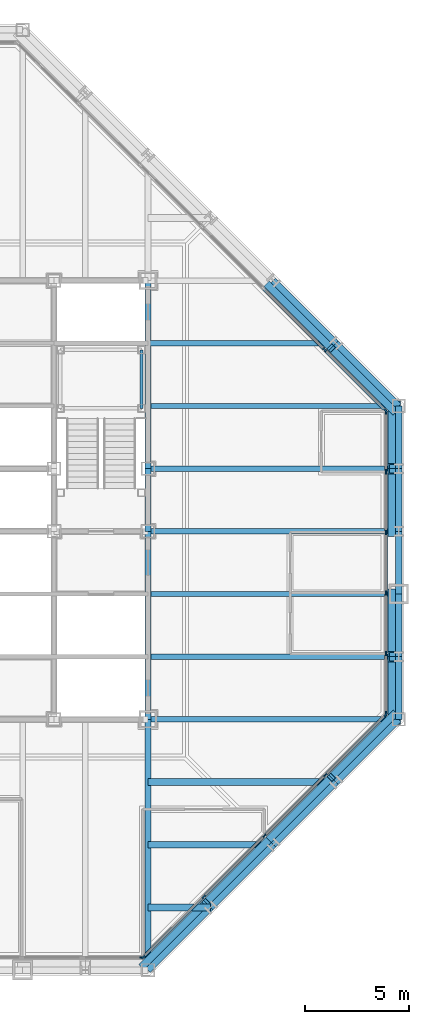
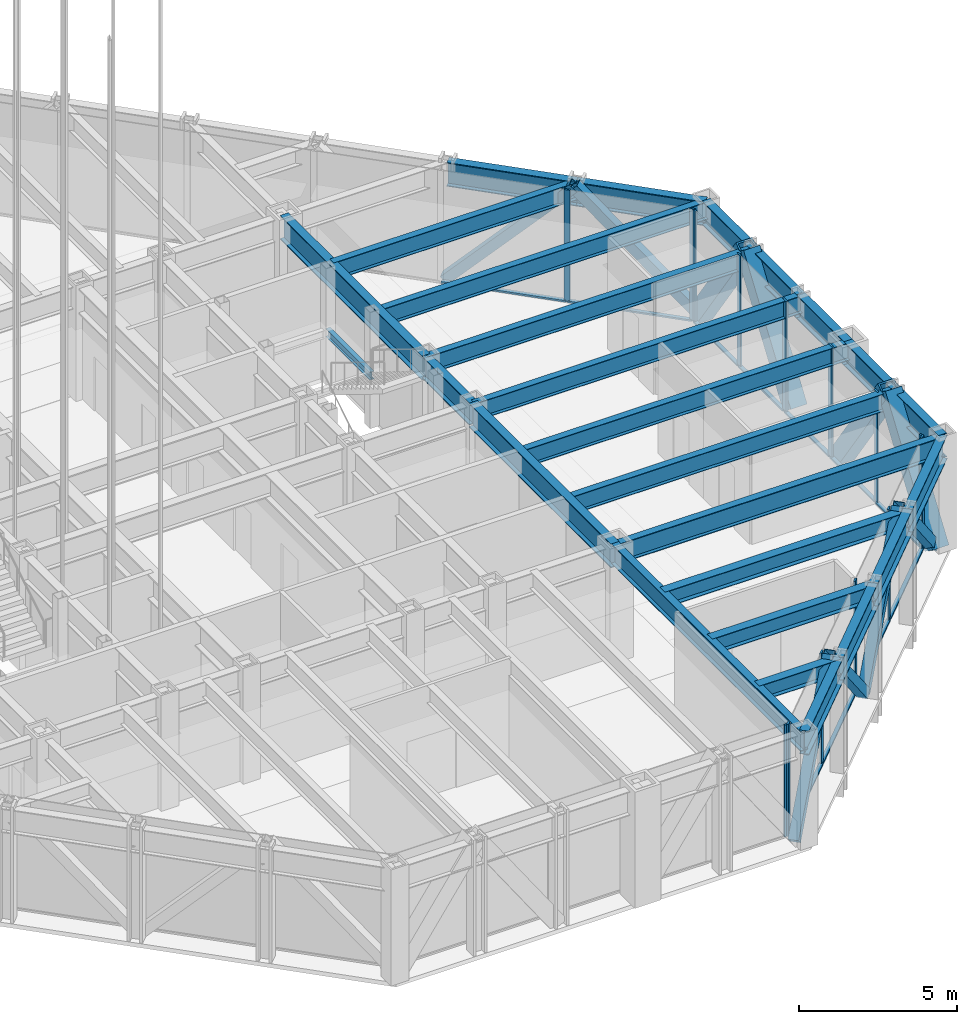
# One storey, part 6 of 24: 35 members, 26 beams, 4 elements without a shape of their own.
"""IFC4 building model written with IfcOpenShell, lengths in metres."""

from ifc_helpers import new_model, si_unit, direction, frame, origin, origin_2d, place, context, subcontext, project, spatial, rectangle, hollow_rectangle, i_section, extrude, material, layer, layer_set, material_profile, profile_set, type_object, element, aggregate, save


model = new_model("IFC4")

# Units and contexts
model_context = context("Model", 3, precision=1e-05, world=origin(), true_north=direction((0.0, 1.0)))
body_context = subcontext(model_context, "Body", "Model", "MODEL_VIEW")
ifc_project = project(units=[si_unit("LENGTHUNIT", "METRE"), si_unit("AREAUNIT", "SQUARE_METRE"), si_unit("VOLUMEUNIT", "CUBIC_METRE"), si_unit("PLANEANGLEUNIT", "RADIAN"), si_unit("MASSUNIT", "GRAM", prefix="KILO")], contexts=[model_context])

# Site, building, storey
site_placement = place(None, origin())
site = spatial("IfcSite", under=ifc_project, at=site_placement, CompositionType="ELEMENT")
building_placement = place(site_placement, origin())
building = spatial("IfcBuilding", under=site, at=building_placement, Name="Chuquiago Exchange Tower", CompositionType="ELEMENT")
storey_placement = place(building_placement, frame((0.0, 0.0, 180.0)))
storey = spatial("IfcBuildingStorey", under=building, at=storey_placement, Name="L39", CompositionType="ELEMENT", Elevation=180.0)

# Beams
ifc_material_1 = material(Name="Steel ASTM A992", Category="steel")
ifc_material_profile_1 = material_profile(ifc_material_1, i_section(OverallWidth=0.25390625, OverallDepth=0.683349609375, WebThickness=0.012451171875, FlangeThickness=0.018798828125, at=origin_2d()), Name="W27X94")
ifc_profile_set_1 = profile_set([ifc_material_profile_1], Name="Steel ASTM A992")
beam_type_1 = type_object("IfcBeamType", Name="B1 W27X94", PredefinedType="BEAM", material=ifc_profile_set_1)
for number, where, z_axis, x_axis, name in (
    (1, (33.0, 15.0, 3.998291015625), (1.0, 0.0, 0.0), (0.0, 1.0, 0.0), "FB-L40-infill-33_15-45_15-0"),
    (2, (33.0, 18.0, 3.998291015625), (1.0, 0.0, 0.0), (0.0, 1.0, 0.0), "FB-L40-infill-33_18-45_18-0"),
    (3, (33.0, 21.0, 3.998291015625), (1.0, 0.0, 0.0), (0.0, 1.0, 0.0), "FB-L40-infill-33_21-45_21-0"),
    (4, (33.0, 24.0, 3.998291015625), (1.0, 0.0, 0.0), (0.0, 1.0, 0.0), "FB-L40-infill-33_24-45_24-0"),
    (5, (33.0, 27.0, 3.998291015625), (1.0, 0.0, 0.0), (0.0, 1.0, 0.0), "FB-L40-infill-33_27-45_27-0"),
):
    element("IfcBeam", number, at=place(storey_placement, frame(where, z_axis=z_axis, x_axis=x_axis)), inside=storey, type_object=beam_type_1, Name=name, PredefinedType="BEAM", context=body_context, shape_type="SweptSolid", body=[
        extrude(i_section(OverallWidth=0.25390625, OverallDepth=0.683349609375, WebThickness=0.012451171875, FlangeThickness=0.018798828125, at=origin_2d()), origin(), (0.0, 0.0, 1.0), 12.0),
    ])
beam_1_placement = place(storey_placement, frame((33.0, 30.0, 3.998291015625), z_axis=(1.0, 0.0, 0.0), x_axis=(0.0, 1.0, 0.0)))
element("IfcBeam", 6, at=beam_1_placement, inside=storey, type_object=beam_type_1, Name="FB-L40-infill-33_30-42_30-0", PredefinedType="BEAM", context=body_context, shape_type="SweptSolid", body=[
    extrude(i_section(OverallWidth=0.25390625, OverallDepth=0.683349609375, WebThickness=0.012451171875, FlangeThickness=0.018798828125, at=origin_2d()), origin(), (0.0, 0.0, 1.0), 9.0),
])
ifc_material_2 = material(Name="Steel ASTM A992", Category="steel")
ifc_material_profile_2 = material_profile(ifc_material_2, i_section(OverallWidth=0.307373046875, OverallDepth=0.927001953125, WebThickness=0.01953125, FlangeThickness=0.031982421875, at=origin_2d()), Name="W36X194")
ifc_profile_set_2 = profile_set([ifc_material_profile_2], Name="Steel ASTM A992")
beam_type_2 = type_object("IfcBeamType", Name="B10 W36X194", PredefinedType="BEAM", material=ifc_profile_set_2)
for number, where, z_axis, x_axis, name in (
    (7, (33.0, 12.0, 3.87646484375), (0.0, 1.0, 0.0), (-1.0, 0.0, 0.0), "CB-L40-33_12-33_21"),
    (8, (33.0, 24.0, 3.87646484375), (0.0, 1.0, 0.0), (-1.0, 0.0, 0.0), "CB-L40-33_24-33_33"),
):
    element("IfcBeam", number, at=place(storey_placement, frame(where, z_axis=z_axis, x_axis=x_axis)), inside=storey, type_object=beam_type_2, Name=name, PredefinedType="BEAM", context=body_context, shape_type="SweptSolid", body=[
        extrude(i_section(OverallWidth=0.307373046875, OverallDepth=0.927001953125, WebThickness=0.01953125, FlangeThickness=0.031982421875, at=origin_2d()), origin(), (0.0, 0.0, 1.0), 9.0),
    ])
ifc_material_3 = material(Name="Steel ASTM A992", Category="steel")
ifc_material_profile_3 = material_profile(ifc_material_3, i_section(OverallWidth=0.3251953125, OverallDepth=0.612060546875, WebThickness=0.0126953125, FlangeThickness=0.01904296875, at=origin_2d()), Name="W24X104")
ifc_profile_set_3 = profile_set([ifc_material_profile_3], Name="Steel ASTM A992")
beam_type_3 = type_object("IfcBeamType", Name="B2 W24X104", PredefinedType="BEAM", material=ifc_profile_set_3)
beam_2_placement = place(storey_placement, frame((33.0, 3.0, 4.033935546875), z_axis=(1.0, 0.0, 0.0), x_axis=(0.0, 1.0, 0.0)))
element("IfcBeam", 9, at=beam_2_placement, inside=storey, type_object=beam_type_3, Name="FB-L40-corner-33_3-36_3-0", PredefinedType="BEAM", context=body_context, shape_type="SweptSolid", body=[
    extrude(i_section(OverallWidth=0.3251953125, OverallDepth=0.612060546875, WebThickness=0.0126953125, FlangeThickness=0.01904296875, at=origin_2d()), origin(), (0.0, 0.0, 1.0), 3.0),
])
beam_3_placement = place(storey_placement, frame((33.0, 6.0, 4.033935546875), z_axis=(1.0, 0.0, 0.0), x_axis=(0.0, 1.0, 0.0)))
element("IfcBeam", 10, at=beam_3_placement, inside=storey, type_object=beam_type_3, Name="FB-L40-corner-33_6-39_6-0", PredefinedType="BEAM", context=body_context, shape_type="SweptSolid", body=[
    extrude(i_section(OverallWidth=0.3251953125, OverallDepth=0.612060546875, WebThickness=0.0126953125, FlangeThickness=0.01904296875, at=origin_2d()), origin(), (0.0, 0.0, 1.0), 6.0),
])
beam_4_placement = place(storey_placement, frame((33.0, 9.0, 4.033935546875), z_axis=(1.0, 0.0, 0.0), x_axis=(0.0, 1.0, 0.0)))
element("IfcBeam", 11, at=beam_4_placement, inside=storey, type_object=beam_type_3, Name="FB-L40-corner-33_9-42_9-0", PredefinedType="BEAM", context=body_context, shape_type="SweptSolid", body=[
    extrude(i_section(OverallWidth=0.3251953125, OverallDepth=0.612060546875, WebThickness=0.0126953125, FlangeThickness=0.01904296875, at=origin_2d()), origin(), (0.0, 0.0, 1.0), 9.0),
])
ifc_material_4 = material(Name="Steel ASTM A992", Category="steel")
ifc_material_profile_4 = material_profile(ifc_material_4, i_section(OverallWidth=0.2919921875, OverallDepth=0.8583984375, WebThickness=0.01708984375, FlangeThickness=0.031005859375, at=origin_2d()), Name="W33X169")
ifc_profile_set_4 = profile_set([ifc_material_profile_4], Name="Steel ASTM A992")
beam_type_4 = type_object("IfcBeamType", Name="B3 W33X169", PredefinedType="BEAM", material=ifc_profile_set_4)
beam_5_placement = place(storey_placement, frame((33.0, 21.0, 3.91064453125), z_axis=(0.0, 1.0, 0.0), x_axis=(-1.0, 0.0, 0.0)))
element("IfcBeam", 12, at=beam_5_placement, inside=storey, type_object=beam_type_4, Name="CB-L40-33_21-33_24", PredefinedType="BEAM", context=body_context, shape_type="SweptSolid", body=[
    extrude(i_section(OverallWidth=0.2919921875, OverallDepth=0.8583984375, WebThickness=0.01708984375, FlangeThickness=0.031005859375, at=origin_2d()), origin(), (0.0, 0.0, 1.0), 3.0),
])

# Curtain wall, member
ifc_material_5 = material(Name="Aluminium curtain wall system", Category="aluminium")
ifc_layer_1 = layer(ifc_material_5, 0.22509765625)
ifc_layer_set_1 = layer_set([ifc_layer_1], Name="CW2 office curtain wall")
curtain_wall_type_1 = type_object("IfcCurtainWallType", Name="CW2 office curtain wall", PredefinedType="NOTDEFINED", material=ifc_layer_set_1)
curtain_wall_1_placement = place(storey_placement, origin())
curtain_wall_1 = element("IfcCurtainWall", 13, at=curtain_wall_1_placement, inside=storey, type_object=curtain_wall_type_1, Name="CW2 curtain wall L39", PredefinedType="NOTDEFINED")
ifc_material_6 = material(Name="Aluminium mullion, pale anodised", Category="aluminium")
ifc_material_profile_5 = material_profile(ifc_material_6, rectangle(XDim=0.06494140625, YDim=0.22509765625, at=origin_2d()), Name="AL 65x225")
ifc_profile_set_5 = profile_set([ifc_material_profile_5], Name="Aluminium mullion, pale anodised")
member_type_1 = type_object("IfcMemberType", Name="CW2-M mullion 65x225", PredefinedType="MULLION", material=ifc_profile_set_5)
member_1_placement = place(storey_placement, frame((32.718994140625, 0.60009765625, 0.0), z_axis=(0.0, 0.0, 1.0), x_axis=(0.0, 1.0, 0.0)))
member_1 = element("IfcMember", 14, at=member_1_placement, type_object=member_type_1, Name="CW2 mullion 6", PredefinedType="MULLION", context=body_context, shape_type="SweptSolid", body=[
    extrude(rectangle(XDim=0.06494140625, YDim=0.22509765625, at=origin_2d()), origin(), (0.0, 0.0, 1.0), 4.340087890625),
])
aggregate(curtain_wall_1, [member_1])

# Curtain wall, members
curtain_wall_2_placement = place(storey_placement, origin())
curtain_wall_2 = element("IfcCurtainWall", 15, at=curtain_wall_2_placement, inside=storey, type_object=curtain_wall_type_1, Name="CW2 curtain wall L39", PredefinedType="NOTDEFINED")
member_2_placement = place(storey_placement, frame((44.39990234375, 12.281005859375, 0.0), z_axis=(0.0, 0.0, 1.0), x_axis=(-1.0, 0.0, 0.0)))
member_2 = element("IfcMember", 16, at=member_2_placement, type_object=member_type_1, Name="CW2 mullion 1", PredefinedType="MULLION", context=body_context, shape_type="SweptSolid", body=[
    extrude(rectangle(XDim=0.06494140625, YDim=0.22509765625, at=origin_2d()), origin(), (0.0, 0.0, 1.0), 4.340087890625),
])
member_3_placement = place(storey_placement, frame((44.39990234375, 15.149169921875, 0.0), z_axis=(0.0, 0.0, 1.0), x_axis=(-1.0, 0.0, 0.0)))
member_3 = element("IfcMember", 17, at=member_3_placement, type_object=member_type_1, Name="CW2 mullion 2", PredefinedType="MULLION", context=body_context, shape_type="SweptSolid", body=[
    extrude(rectangle(XDim=0.06494140625, YDim=0.22509765625, at=origin_2d()), origin(), (0.0, 0.0, 1.0), 4.340087890625),
])
member_4_placement = place(storey_placement, frame((44.39990234375, 18.0498046875, 0.0), z_axis=(0.0, 0.0, 1.0), x_axis=(-1.0, 0.0, 0.0)))
member_4 = element("IfcMember", 18, at=member_4_placement, type_object=member_type_1, Name="CW2 mullion 3", PredefinedType="MULLION", context=body_context, shape_type="SweptSolid", body=[
    extrude(rectangle(XDim=0.06494140625, YDim=0.22509765625, at=origin_2d()), origin(), (0.0, 0.0, 1.0), 4.340087890625),
])
member_5_placement = place(storey_placement, frame((44.39990234375, 20.9501953125, 0.0), z_axis=(0.0, 0.0, 1.0), x_axis=(-1.0, 0.0, 0.0)))
member_5 = element("IfcMember", 19, at=member_5_placement, type_object=member_type_1, Name="CW2 mullion 4", PredefinedType="MULLION", context=body_context, shape_type="SweptSolid", body=[
    extrude(rectangle(XDim=0.06494140625, YDim=0.22509765625, at=origin_2d()), origin(), (0.0, 0.0, 1.0), 4.340087890625),
])
member_6_placement = place(storey_placement, frame((44.39990234375, 23.850830078125, 0.0), z_axis=(0.0, 0.0, 1.0), x_axis=(-1.0, 0.0, 0.0)))
member_6 = element("IfcMember", 20, at=member_6_placement, type_object=member_type_1, Name="CW2 mullion 5", PredefinedType="MULLION", context=body_context, shape_type="SweptSolid", body=[
    extrude(rectangle(XDim=0.06494140625, YDim=0.22509765625, at=origin_2d()), origin(), (0.0, 0.0, 1.0), 4.340087890625),
])
member_7_placement = place(storey_placement, frame((44.39990234375, 26.718994140625, 0.0), z_axis=(0.0, 0.0, 1.0), x_axis=(-1.0, 0.0, 0.0)))
member_7 = element("IfcMember", 21, at=member_7_placement, type_object=member_type_1, Name="CW2 mullion 6", PredefinedType="MULLION", context=body_context, shape_type="SweptSolid", body=[
    extrude(rectangle(XDim=0.06494140625, YDim=0.22509765625, at=origin_2d()), origin(), (0.0, 0.0, 1.0), 4.340087890625),
])
ifc_material_7 = material(Name="Aluminium transom, pale anodised", Category="aluminium")
ifc_material_profile_6 = material_profile(ifc_material_7, rectangle(XDim=0.139892578125, YDim=0.06494140625, at=origin_2d()), Name="AL 140x65")
ifc_profile_set_6 = profile_set([ifc_material_profile_6], Name="Aluminium transom, pale anodised")
member_type_2 = type_object("IfcMemberType", Name="CW2-T transom 65x140", PredefinedType="MULLION", material=ifc_profile_set_6)
member_8_placement = place(storey_placement, frame((44.39990234375, 12.3134765625, 0.032470703125), z_axis=(0.0, 1.0, 0.0), x_axis=(-1.0, 0.0, 0.0)))
member_8 = element("IfcMember", 22, at=member_8_placement, type_object=member_type_2, Name="CW2 transom 1.1", PredefinedType="MULLION", context=body_context, shape_type="SweptSolid", body=[
    extrude(rectangle(XDim=0.139892578125, YDim=0.06494140625, at=origin_2d()), origin(), (0.0, 0.0, 1.0), 2.80322265625),
])
member_9_placement = place(storey_placement, frame((44.39990234375, 15.181640625, 0.032470703125), z_axis=(0.0, 1.0, 0.0), x_axis=(-1.0, 0.0, 0.0)))
member_9 = element("IfcMember", 23, at=member_9_placement, type_object=member_type_2, Name="CW2 transom 2.1", PredefinedType="MULLION", context=body_context, shape_type="SweptSolid", body=[
    extrude(rectangle(XDim=0.139892578125, YDim=0.06494140625, at=origin_2d()), origin(), (0.0, 0.0, 1.0), 2.83544921875),
])
member_10_placement = place(storey_placement, frame((44.39990234375, 18.082275390625, 0.032470703125), z_axis=(0.0, 1.0, 0.0), x_axis=(-1.0, 0.0, 0.0)))
member_10 = element("IfcMember", 24, at=member_10_placement, type_object=member_type_2, Name="CW2 transom 3.1", PredefinedType="MULLION", context=body_context, shape_type="SweptSolid", body=[
    extrude(rectangle(XDim=0.139892578125, YDim=0.06494140625, at=origin_2d()), origin(), (0.0, 0.0, 1.0), 2.83544921875),
])
member_11_placement = place(storey_placement, frame((44.39990234375, 20.98291015625, 0.032470703125), z_axis=(0.0, 1.0, 0.0), x_axis=(-1.0, 0.0, 0.0)))
member_11 = element("IfcMember", 25, at=member_11_placement, type_object=member_type_2, Name="CW2 transom 4.1", PredefinedType="MULLION", context=body_context, shape_type="SweptSolid", body=[
    extrude(rectangle(XDim=0.139892578125, YDim=0.06494140625, at=origin_2d()), origin(), (0.0, 0.0, 1.0), 2.83544921875),
])
member_12_placement = place(storey_placement, frame((44.39990234375, 23.88330078125, 0.032470703125), z_axis=(0.0, 1.0, 0.0), x_axis=(-1.0, 0.0, 0.0)))
member_12 = element("IfcMember", 26, at=member_12_placement, type_object=member_type_2, Name="CW2 transom 5.1", PredefinedType="MULLION", context=body_context, shape_type="SweptSolid", body=[
    extrude(rectangle(XDim=0.139892578125, YDim=0.06494140625, at=origin_2d()), origin(), (0.0, 0.0, 1.0), 2.80322265625),
])
aggregate(curtain_wall_2, [member_2, member_3, member_4, member_5, member_6, member_7, member_8, member_9, member_10, member_11, member_12])

ifc_material_8 = material(Name="Aluminium curtain wall system", Category="aluminium")
ifc_layer_2 = layer(ifc_material_8, 0.199951171875)
ifc_layer_set_2 = layer_set([ifc_layer_2], Name="CW3 facet curtain wall")
curtain_wall_type_2 = type_object("IfcCurtainWallType", Name="CW3 facet curtain wall", PredefinedType="NOTDEFINED", material=ifc_layer_set_2)
curtain_wall_3_placement = place(storey_placement, origin())
curtain_wall_3 = element("IfcCurtainWall", 27, at=curtain_wall_3_placement, inside=storey, type_object=curtain_wall_type_2, Name="CW3 curtain wall L39", PredefinedType="NOTDEFINED")
ifc_material_9 = material(Name="Aluminium mullion, pale anodised", Category="aluminium")
ifc_material_profile_7 = material_profile(ifc_material_9, rectangle(XDim=0.06494140625, YDim=0.199951171875, at=origin_2d()), Name="AL 65x200")
ifc_profile_set_7 = profile_set([ifc_material_profile_7], Name="Aluminium mullion, pale anodised")
member_type_3 = type_object("IfcMemberType", Name="CW3-M mullion 65x200", PredefinedType="MULLION", material=ifc_profile_set_7)
member_13_placement = place(storey_placement, frame((32.7744140625, 0.623046875, 0.0), z_axis=(0.0, 0.0, 1.0), x_axis=(-0.707106781187, 0.707106781187, 0.0)))
member_13 = element("IfcMember", 28, at=member_13_placement, type_object=member_type_3, Name="CW3 mullion 1", PredefinedType="MULLION", context=body_context, shape_type="SweptSolid", body=[
    extrude(rectangle(XDim=0.06494140625, YDim=0.199951171875, at=origin_2d()), origin(), (0.0, 0.0, 1.0), 4.340087890625),
])
member_14_placement = place(storey_placement, frame((35.66357421875, 3.51220703125, 0.0), z_axis=(0.0, 0.0, 1.0), x_axis=(-0.707106781187, 0.707106781187, 0.0)))
member_14 = element("IfcMember", 29, at=member_14_placement, type_object=member_type_3, Name="CW3 mullion 2", PredefinedType="MULLION", context=body_context, shape_type="SweptSolid", body=[
    extrude(rectangle(XDim=0.06494140625, YDim=0.199951171875, at=origin_2d()), origin(), (0.0, 0.0, 1.0), 4.340087890625),
])
member_15_placement = place(storey_placement, frame((38.57568359375, 6.42431640625, 0.0), z_axis=(0.0, 0.0, 1.0), x_axis=(-0.707106781187, 0.707106781187, 0.0)))
member_15 = element("IfcMember", 30, at=member_15_placement, type_object=member_type_3, Name="CW3 mullion 3", PredefinedType="MULLION", context=body_context, shape_type="SweptSolid", body=[
    extrude(rectangle(XDim=0.06494140625, YDim=0.199951171875, at=origin_2d()), origin(), (0.0, 0.0, 1.0), 4.340087890625),
])
member_16_placement = place(storey_placement, frame((41.48779296875, 9.33642578125, 0.0), z_axis=(0.0, 0.0, 1.0), x_axis=(-0.707106781187, 0.707106781187, 0.0)))
member_16 = element("IfcMember", 31, at=member_16_placement, type_object=member_type_3, Name="CW3 mullion 4", PredefinedType="MULLION", context=body_context, shape_type="SweptSolid", body=[
    extrude(rectangle(XDim=0.06494140625, YDim=0.199951171875, at=origin_2d()), origin(), (0.0, 0.0, 1.0), 4.340087890625),
])
member_17_placement = place(storey_placement, frame((44.376953125, 12.2255859375, 0.0), z_axis=(0.0, 0.0, 1.0), x_axis=(-0.707106781187, 0.707106781187, 0.0)))
member_17 = element("IfcMember", 32, at=member_17_placement, type_object=member_type_3, Name="CW3 mullion 5", PredefinedType="MULLION", context=body_context, shape_type="SweptSolid", body=[
    extrude(rectangle(XDim=0.06494140625, YDim=0.199951171875, at=origin_2d()), origin(), (0.0, 0.0, 1.0), 4.340087890625),
])

curtain_wall_4_placement = place(storey_placement, origin())
curtain_wall_4 = element("IfcCurtainWall", 33, at=curtain_wall_4_placement, inside=storey, type_object=curtain_wall_type_2, Name="CW3 curtain wall L39", PredefinedType="NOTDEFINED")
member_18_placement = place(storey_placement, frame((44.376953125, 26.7744140625, 0.0), z_axis=(0.0, 0.0, 1.0), x_axis=(-0.707106781187, -0.707106781187, 0.0)))
member_18 = element("IfcMember", 34, at=member_18_placement, type_object=member_type_3, Name="CW3 mullion 1", PredefinedType="MULLION", context=body_context, shape_type="SweptSolid", body=[
    extrude(rectangle(XDim=0.06494140625, YDim=0.199951171875, at=origin_2d()), origin(), (0.0, 0.0, 1.0), 4.340087890625),
])
member_19_placement = place(storey_placement, frame((41.45849609375, 29.69287109375, 0.0), z_axis=(0.0, 0.0, 1.0), x_axis=(-0.707106781187, -0.707106781187, 0.0)))
member_19 = element("IfcMember", 35, at=member_19_placement, type_object=member_type_3, Name="CW3 mullion 2", PredefinedType="MULLION", context=body_context, shape_type="SweptSolid", body=[
    extrude(rectangle(XDim=0.06494140625, YDim=0.199951171875, at=origin_2d()), origin(), (0.0, 0.0, 1.0), 4.340087890625),
])

# Member
ifc_material_10 = material(Name="Aluminium transom, pale anodised", Category="aluminium")
ifc_material_profile_8 = material_profile(ifc_material_10, rectangle(XDim=0.139892578125, YDim=0.06494140625, at=origin_2d()), Name="AL 140x65")
ifc_profile_set_8 = profile_set([ifc_material_profile_8], Name="Aluminium transom, pale anodised")
member_type_4 = type_object("IfcMemberType", Name="CW3-T transom 65x140", PredefinedType="MULLION", material=ifc_profile_set_8)
member_20_placement = place(storey_placement, frame((32.79736328125, 0.64599609375, 0.032470703125), z_axis=(0.707106781187, 0.707106781187, 0.0), x_axis=(-0.707106781187, 0.707106781187, 0.0)))
member_20 = element("IfcMember", 36, at=member_20_placement, type_object=member_type_4, Name="CW3 transom 1.1", PredefinedType="MULLION", context=body_context, shape_type="SweptSolid", body=[
    extrude(rectangle(XDim=0.139892578125, YDim=0.06494140625, at=origin_2d()), origin(), (0.0, 0.0, 1.0), 4.02099609375),
])

member_21_placement = place(storey_placement, frame((35.6865234375, 3.53515625, 0.032470703125), z_axis=(0.707106781187, 0.707106781187, 0.0), x_axis=(-0.707106781187, 0.707106781187, 0.0)))
member_21 = element("IfcMember", 37, at=member_21_placement, type_object=member_type_4, Name="CW3 transom 2.1", PredefinedType="MULLION", context=body_context, shape_type="SweptSolid", body=[
    extrude(rectangle(XDim=0.139892578125, YDim=0.06494140625, at=origin_2d()), origin(), (0.0, 0.0, 1.0), 4.053466796875),
])

member_22_placement = place(storey_placement, frame((38.5986328125, 6.447265625, 0.032470703125), z_axis=(0.707106781187, 0.707106781187, 0.0), x_axis=(-0.707106781187, 0.707106781187, 0.0)))
member_22 = element("IfcMember", 38, at=member_22_placement, type_object=member_type_4, Name="CW3 transom 3.1", PredefinedType="MULLION", context=body_context, shape_type="SweptSolid", body=[
    extrude(rectangle(XDim=0.139892578125, YDim=0.06494140625, at=origin_2d()), origin(), (0.0, 0.0, 1.0), 4.053466796875),
])

member_23_placement = place(storey_placement, frame((41.5107421875, 9.359375, 0.032470703125), z_axis=(0.707106781187, 0.707106781187, 0.0), x_axis=(-0.707106781187, 0.707106781187, 0.0)))
member_23 = element("IfcMember", 39, at=member_23_placement, type_object=member_type_4, Name="CW3 transom 4.1", PredefinedType="MULLION", context=body_context, shape_type="SweptSolid", body=[
    extrude(rectangle(XDim=0.139892578125, YDim=0.06494140625, at=origin_2d()), origin(), (0.0, 0.0, 1.0), 4.02099609375),
])

aggregate(curtain_wall_3, [member_13, member_14, member_15, member_16, member_17, member_20, member_21, member_22, member_23])

member_24_placement = place(storey_placement, frame((44.35400390625, 26.79736328125, 0.032470703125), z_axis=(-0.707106781187, 0.707106781187, 0.0), x_axis=(-0.707106781187, -0.707106781187, 0.0)))
member_24 = element("IfcMember", 40, at=member_24_placement, type_object=member_type_4, Name="CW3 transom 1.1", PredefinedType="MULLION", context=body_context, shape_type="SweptSolid", body=[
    extrude(rectangle(XDim=0.139892578125, YDim=0.06494140625, at=origin_2d()), origin(), (0.0, 0.0, 1.0), 4.0625),
])

member_25_placement = place(storey_placement, frame((41.435546875, 29.7158203125, 0.032470703125), z_axis=(-0.707106781187, 0.707106781187, 0.0), x_axis=(-0.707106781187, -0.707106781187, 0.0)))
member_25 = element("IfcMember", 41, at=member_25_placement, type_object=member_type_4, Name="CW3 transom 2.1", PredefinedType="MULLION", context=body_context, shape_type="SweptSolid", body=[
    extrude(rectangle(XDim=0.139892578125, YDim=0.06494140625, at=origin_2d()), origin(), (0.0, 0.0, 1.0), 4.094970703125),
])

aggregate(curtain_wall_4, [member_18, member_19, member_24, member_25])

# Beams
ifc_material_11 = material(Name="Steel ASTM A992", Category="steel")
ifc_material_profile_9 = material_profile(ifc_material_11, i_section(OverallWidth=0.2666015625, OverallDepth=0.76953125, WebThickness=0.015625, FlangeThickness=0.025390625, at=origin_2d()), Name="W30X132")
ifc_profile_set_9 = profile_set([ifc_material_profile_9], Name="Steel ASTM A992")
beam_type_5 = type_object("IfcBeamType", Name="G1 W30X132", PredefinedType="BEAM", material=ifc_profile_set_9)
for number, where, z_axis, x_axis, name in (
    (42, (33.0, 12.0, 3.955078125), (0.0, -1.0, 0.0), (1.0, 0.0, 0.0), "FB-L40-girder-33_12-33_-0-0"),
    (43, (33.0, 12.0, 3.955078125), (1.0, 0.0, 0.0), (0.0, 1.0, 0.0), "FB-L40-girder-33_12-45_12-0"),
):
    element("IfcBeam", number, at=place(storey_placement, frame(where, z_axis=z_axis, x_axis=x_axis)), inside=storey, type_object=beam_type_5, Name=name, PredefinedType="BEAM", context=body_context, shape_type="SweptSolid", body=[
        extrude(i_section(OverallWidth=0.2666015625, OverallDepth=0.76953125, WebThickness=0.015625, FlangeThickness=0.025390625, at=origin_2d()), origin(), (0.0, 0.0, 1.0), 12.0),
    ])

# Members
ifc_material_12 = material(Name="Steel ASTM A500 Grade C", Category="steel")
ifc_material_profile_10 = material_profile(ifc_material_12, hollow_rectangle(XDim=0.355712890625, YDim=0.355712890625, WallThickness=0.0146484375, at=origin_2d()), Name="HSS14X14X5/8")
ifc_profile_set_10 = profile_set([ifc_material_profile_10], Name="Steel ASTM A500 Grade C")
member_type_5 = type_object("IfcMemberType", Name="LB2 HSS14X14X5/8", PredefinedType="BRACE", material=ifc_profile_set_10)
for number, where, z_axis, x_axis, name in (
    (44, (32.7685546875, 0.2314453125, 0.0), (0.494291205278, 0.494291205278, 0.715089091491), (-0.707106781187, 0.707106781187, 0.0), "LB-L39-33_0-36_3"),
    (45, (38.7685546875, 6.2314453125, 0.0), (-0.494291205278, -0.494291205278, 0.715089091491), (0.707106781187, -0.707106781187, 0.0), "LB-L39-36_3-39_6"),
    (46, (38.7685546875, 6.2314453125, 0.0), (0.494291205278, 0.494291205278, 0.715089091491), (-0.707106781187, 0.707106781187, 0.0), "LB-L39-39_6-42_9"),
    (47, (44.7685546875, 12.2314453125, 0.0), (-0.494291205278, -0.494291205278, 0.715089091491), (0.707106781187, -0.707106781187, 0.0), "LB-L39-42_9-45_12"),
    (48, (44.7685546875, 26.7685546875, 0.0), (-0.494291205278, 0.494291205278, 0.715089091491), (-0.707106781187, -0.707106781187, 0.0), "LB-L39-45_27-42_30"),
    (49, (38.7685546875, 32.7685546875, 0.0), (0.494291205278, -0.494291205278, 0.715089091491), (0.707106781187, 0.707106781187, 0.0), "LB-L39-42_30-39_33"),
):
    element("IfcMember", number, at=place(storey_placement, frame(where, z_axis=z_axis, x_axis=x_axis)), inside=storey, type_object=member_type_5, Name=name, PredefinedType="BRACE", context=body_context, shape_type="SweptSolid", body=[
        extrude(hollow_rectangle(XDim=0.355712890625, YDim=0.355712890625, WallThickness=0.0146484375, at=origin_2d()), origin(), (0.0, 0.0, 1.0), 6.0693359375),
    ])

# Beam
ifc_material_13 = material(Name="Steel ASTM A992", Category="steel")
ifc_material_profile_11 = material_profile(ifc_material_13, i_section(OverallWidth=0.164794921875, OverallDepth=0.309814453125, WebThickness=0.005859375, FlangeThickness=0.009765625, at=origin_2d()), Name="W12X26")
ifc_profile_set_11 = profile_set([ifc_material_profile_11], Name="Steel ASTM A992")
beam_type_6 = type_object("IfcBeamType", Name="LS1 W12X26", PredefinedType="BEAM", material=ifc_profile_set_11)
beam_6_placement = place(storey_placement, frame((32.68994140625, 26.889892578125, 1.89501953125), z_axis=(0.0, 1.0, 0.0), x_axis=(-1.0, 0.0, 0.0)))
element("IfcBeam", 50, at=beam_6_placement, inside=storey, type_object=beam_type_6, Name="Stair ST2 L39 landing 1 stringer", PredefinedType="BEAM", context=body_context, shape_type="SweptSolid", body=[
    extrude(i_section(OverallWidth=0.164794921875, OverallDepth=0.309814453125, WebThickness=0.005859375, FlangeThickness=0.009765625, at=origin_2d()), origin(), (0.0, 0.0, 1.0), 2.800048828125),
])

# Members
ifc_material_14 = material(Name="Steel ASTM A572 Grade 50", Category="steel")
ifc_material_profile_12 = material_profile(ifc_material_14, hollow_rectangle(XDim=0.60009765625, YDim=0.60009765625, WallThickness=0.06005859375, at=origin_2d()), Name="BOX600X600X60")
ifc_profile_set_12 = profile_set([ifc_material_profile_12], Name="Steel ASTM A572 Grade 50")
member_type_6 = type_object("IfcMemberType", Name="MB3 BOX600X600X60", PredefinedType="BRACE", material=ifc_profile_set_12)
for number, where, z_axis, x_axis, name in (
    (51, (44.794921875, 12.0, 0.0), (0.0, 0.568610676405, 0.822606770382), (-1.0, 0.0, 0.0), "Mega diagonal L39 E face"),
    (52, (44.794921875, 18.0, 0.0), (0.0, -0.568610676405, 0.822606770382), (1.0, 0.0, 0.0), "Mega diagonal L39 E face"),
    (53, (44.794921875, 21.0, 0.0), (0.0, 0.568610676405, 0.822606770382), (-1.0, 0.0, 0.0), "Mega diagonal L39 E face"),
    (54, (44.794921875, 27.0, 0.0), (0.0, -0.568610676405, 0.822606770382), (1.0, 0.0, 0.0), "Mega diagonal L39 E face"),
):
    element("IfcMember", number, at=place(storey_placement, frame(where, z_axis=z_axis, x_axis=x_axis)), inside=storey, type_object=member_type_6, Name=name, PredefinedType="BRACE", context=body_context, shape_type="SweptSolid", body=[
        extrude(hollow_rectangle(XDim=0.60009765625, YDim=0.60009765625, WallThickness=0.06005859375, at=origin_2d()), origin(), (0.0, 0.0, 1.0), 5.276123046875),
    ])

# Beams
ifc_material_15 = material(Name="Steel ASTM A992", Category="steel")
ifc_material_profile_13 = material_profile(ifc_material_15, i_section(OverallWidth=0.307373046875, OverallDepth=0.927001953125, WebThickness=0.01953125, FlangeThickness=0.031982421875, at=origin_2d()), Name="W36X194")
ifc_profile_set_13 = profile_set([ifc_material_profile_13], Name="Steel ASTM A992")
beam_type_7 = type_object("IfcBeamType", Name="SP3 W36X194", PredefinedType="SPANDREL", material=ifc_profile_set_13)
for number, where, z_axis, x_axis, name in (
    (55, (33.0, 0.0, 3.87646484375), (0.707106781187, 0.707106781187, 0.0), (-0.707106781187, 0.707106781187, 0.0), "SPB-L40-33_0-36_3"),
    (56, (36.0, 3.0, 3.87646484375), (0.707106781187, 0.707106781187, 0.0), (-0.707106781187, 0.707106781187, 0.0), "SPB-L40-36_3-39_6"),
    (57, (39.0, 6.0, 3.87646484375), (0.707106781187, 0.707106781187, 0.0), (-0.707106781187, 0.707106781187, 0.0), "SPB-L40-39_6-42_9"),
    (58, (42.0, 9.0, 3.87646484375), (0.707106781187, 0.707106781187, 0.0), (-0.707106781187, 0.707106781187, 0.0), "SPB-L40-42_9-45_12"),
):
    element("IfcBeam", number, at=place(storey_placement, frame(where, z_axis=z_axis, x_axis=x_axis)), inside=storey, type_object=beam_type_7, Name=name, PredefinedType="SPANDREL", context=body_context, shape_type="SweptSolid", body=[
        extrude(i_section(OverallWidth=0.307373046875, OverallDepth=0.927001953125, WebThickness=0.01953125, FlangeThickness=0.031982421875, at=origin_2d()), origin(), (0.0, 0.0, 1.0), 4.24267578125),
    ])
for number, where, z_axis, x_axis, name in (
    (59, (45.0, 12.0, 3.87646484375), (0.0, 1.0, 0.0), (-1.0, 0.0, 0.0), "SPB-L40-45_12-45_15"),
    (60, (45.0, 15.0, 3.87646484375), (0.0, 1.0, 0.0), (-1.0, 0.0, 0.0), "SPB-L40-45_15-45_18"),
    (61, (45.0, 18.0, 3.87646484375), (0.0, 1.0, 0.0), (-1.0, 0.0, 0.0), "SPB-L40-45_18-45_21"),
    (62, (45.0, 21.0, 3.87646484375), (0.0, 1.0, 0.0), (-1.0, 0.0, 0.0), "SPB-L40-45_21-45_24"),
    (63, (45.0, 24.0, 3.87646484375), (0.0, 1.0, 0.0), (-1.0, 0.0, 0.0), "SPB-L40-45_24-45_27"),
):
    element("IfcBeam", number, at=place(storey_placement, frame(where, z_axis=z_axis, x_axis=x_axis)), inside=storey, type_object=beam_type_7, Name=name, PredefinedType="SPANDREL", context=body_context, shape_type="SweptSolid", body=[
        extrude(i_section(OverallWidth=0.307373046875, OverallDepth=0.927001953125, WebThickness=0.01953125, FlangeThickness=0.031982421875, at=origin_2d()), origin(), (0.0, 0.0, 1.0), 3.0),
    ])
for number, where, z_axis, x_axis, name in (
    (64, (45.0, 27.0, 3.87646484375), (-0.707106781187, 0.707106781187, 0.0), (-0.707106781187, -0.707106781187, 0.0), "SPB-L40-45_27-42_30"),
    (65, (42.0, 30.0, 3.87646484375), (-0.707106781187, 0.707106781187, 0.0), (-0.707106781187, -0.707106781187, 0.0), "SPB-L40-42_30-39_33"),
):
    element("IfcBeam", number, at=place(storey_placement, frame(where, z_axis=z_axis, x_axis=x_axis)), inside=storey, type_object=beam_type_7, Name=name, PredefinedType="SPANDREL", context=body_context, shape_type="SweptSolid", body=[
        extrude(i_section(OverallWidth=0.307373046875, OverallDepth=0.927001953125, WebThickness=0.01953125, FlangeThickness=0.031982421875, at=origin_2d()), origin(), (0.0, 0.0, 1.0), 4.24267578125),
    ])

save(model, "model.ifc")
